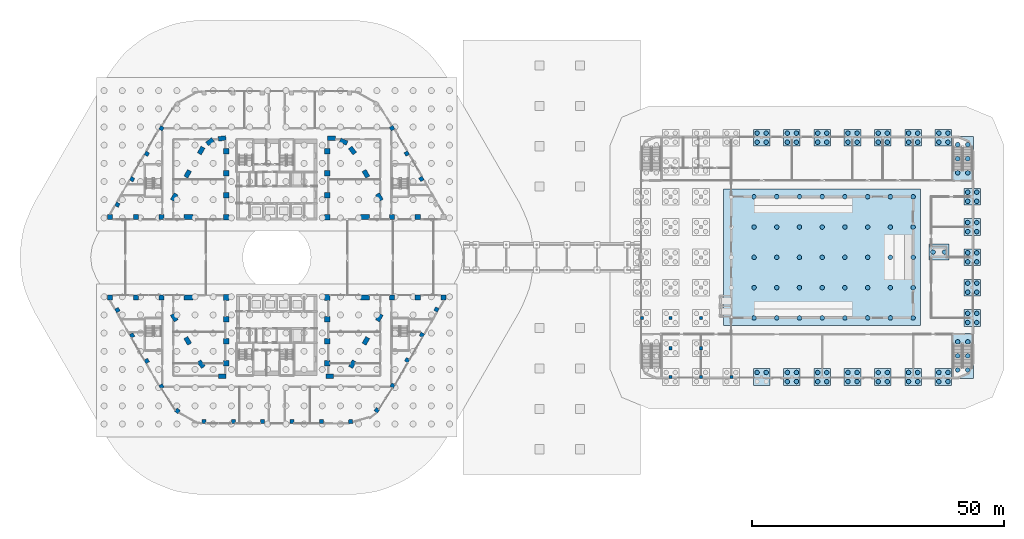
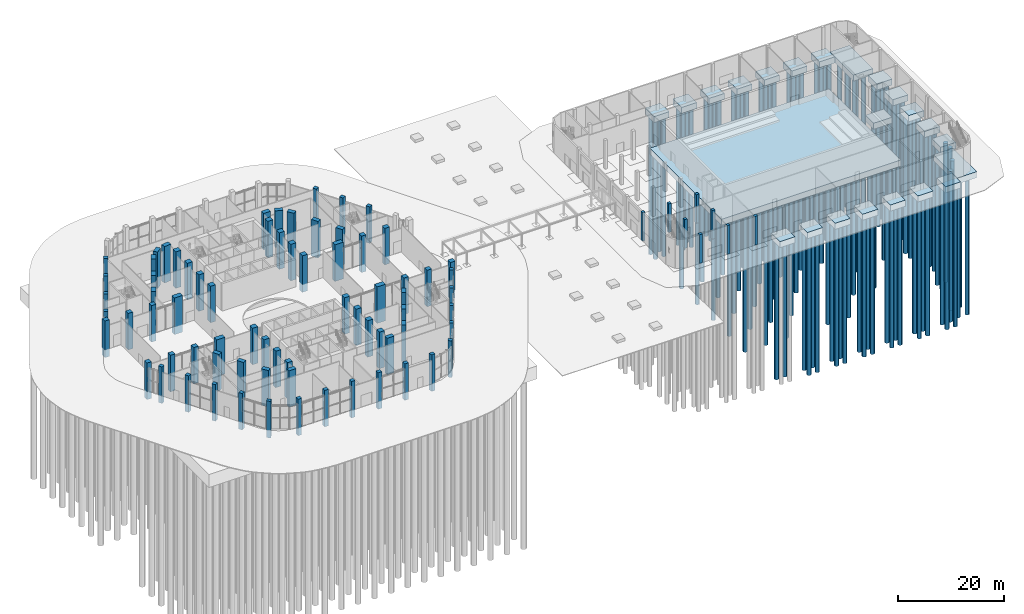
# One storey, part 3 of 44: 128 piles, 80 columns, 23 footings.
"""IFC4 building model written with IfcOpenShell, lengths in metres."""

from ifc_helpers import new_model, si_unit, direction, frame, origin, origin_2d, place, context, subcontext, project, spatial, rectangle, circle, extrude, material, material_profile, profile_set, type_object, element, save


model = new_model("IFC4")

# Units and contexts
model_context = context("Model", 3, precision=1e-05, world=origin(), true_north=direction((0.0, 1.0)))
body_context = subcontext(model_context, "Body", "Model", "MODEL_VIEW")
ifc_project = project(units=[si_unit("LENGTHUNIT", "METRE"), si_unit("AREAUNIT", "SQUARE_METRE"), si_unit("VOLUMEUNIT", "CUBIC_METRE"), si_unit("PLANEANGLEUNIT", "RADIAN"), si_unit("MASSUNIT", "GRAM", prefix="KILO")], contexts=[model_context])

# Site, building, storey
site_placement = place(None, origin())
site = spatial("IfcSite", under=ifc_project, at=site_placement, CompositionType="ELEMENT")
building_placement = place(site_placement, origin())
building = spatial("IfcBuilding", under=site, at=building_placement, Name="Nakaniwa Court", CompositionType="ELEMENT")
storey_placement = place(building_placement, origin())
storey = spatial("IfcBuildingStorey", under=building, at=storey_placement, Name="L00", CompositionType="ELEMENT", Elevation=0.0)

# Piles
ifc_material_1 = material(Name="Concrete C40/50", Category="concrete")
ifc_material_profile_1 = material_profile(ifc_material_1, circle(Radius=0.449951171875, at=origin_2d()), Name="Bored pile D900")
ifc_profile_set_1 = profile_set([ifc_material_profile_1], Name="Concrete C40/50")
pile_type = type_object("IfcPileType", Name="Hall bored pile D900", PredefinedType="BORED", material=ifc_profile_set_1)
for number, where, z_axis, x_axis, name in (
    (1, (176.89990234375, 57.199951171875, -1.25), (0.0, 0.0, -1.0), (1.0, 0.0, 0.0), "Hall bored pile"),
    (2, (175.10009765625, 57.199951171875, -1.25), (0.0, 0.0, -1.0), (1.0, 0.0, 0.0), "Hall bored pile"),
    (3, (175.10009765625, 102.800048828125, -1.25), (0.0, 0.0, -1.0), (1.0, 0.0, 0.0), "Hall bored pile"),
    (4, (176.89990234375, 102.800048828125, -1.25), (0.0, 0.0, -1.0), (1.0, 0.0, 0.0), "Hall bored pile"),
    (5, (176.89990234375, 104.60009765625, -1.25), (0.0, 0.0, -1.0), (1.0, 0.0, 0.0), "Hall bored pile"),
    (6, (175.10009765625, 104.60009765625, -1.25), (0.0, 0.0, -1.0), (1.0, 0.0, 0.0), "Hall bored pile"),
    (7, (181.10009765625, 55.39990234375, -1.25), (0.0, 0.0, -1.0), (1.0, 0.0, 0.0), "Hall bored pile"),
    (8, (182.89990234375, 55.39990234375, -1.25), (0.0, 0.0, -1.0), (1.0, 0.0, 0.0), "Hall bored pile"),
    (9, (182.89990234375, 57.199951171875, -1.25), (0.0, 0.0, -1.0), (1.0, 0.0, 0.0), "Hall bored pile"),
    (10, (181.10009765625, 57.199951171875, -1.25), (0.0, 0.0, -1.0), (1.0, 0.0, 0.0), "Hall bored pile"),
    (11, (181.10009765625, 102.800048828125, -1.25), (0.0, 0.0, -1.0), (1.0, 0.0, 0.0), "Hall bored pile"),
    (12, (182.89990234375, 102.800048828125, -1.25), (0.0, 0.0, -1.0), (1.0, 0.0, 0.0), "Hall bored pile"),
    (13, (182.89990234375, 104.60009765625, -1.25), (0.0, 0.0, -1.0), (1.0, 0.0, 0.0), "Hall bored pile"),
    (14, (181.10009765625, 104.60009765625, -1.25), (0.0, 0.0, -1.0), (1.0, 0.0, 0.0), "Hall bored pile"),
    (15, (187.10009765625, 55.39990234375, -1.25), (0.0, 0.0, -1.0), (1.0, 0.0, 0.0), "Hall bored pile"),
    (16, (188.89990234375, 55.39990234375, -1.25), (0.0, 0.0, -1.0), (1.0, 0.0, 0.0), "Hall bored pile"),
    (17, (188.89990234375, 57.199951171875, -1.25), (0.0, 0.0, -1.0), (1.0, 0.0, 0.0), "Hall bored pile"),
    (18, (187.10009765625, 57.199951171875, -1.25), (0.0, 0.0, -1.0), (1.0, 0.0, 0.0), "Hall bored pile"),
    (19, (187.10009765625, 102.800048828125, -1.25), (0.0, 0.0, -1.0), (1.0, 0.0, 0.0), "Hall bored pile"),
    (20, (188.89990234375, 102.800048828125, -1.25), (0.0, 0.0, -1.0), (1.0, 0.0, 0.0), "Hall bored pile"),
    (21, (188.89990234375, 104.60009765625, -1.25), (0.0, 0.0, -1.0), (1.0, 0.0, 0.0), "Hall bored pile"),
    (22, (187.10009765625, 104.60009765625, -1.25), (0.0, 0.0, -1.0), (1.0, 0.0, 0.0), "Hall bored pile"),
    (23, (193.10009765625, 55.39990234375, -1.25), (0.0, 0.0, -1.0), (1.0, 0.0, 0.0), "Hall bored pile"),
    (24, (194.89990234375, 55.39990234375, -1.25), (0.0, 0.0, -1.0), (1.0, 0.0, 0.0), "Hall bored pile"),
    (25, (194.89990234375, 57.199951171875, -1.25), (0.0, 0.0, -1.0), (1.0, 0.0, 0.0), "Hall bored pile"),
    (26, (193.10009765625, 57.199951171875, -1.25), (0.0, 0.0, -1.0), (1.0, 0.0, 0.0), "Hall bored pile"),
    (27, (193.10009765625, 102.800048828125, -1.25), (0.0, 0.0, -1.0), (1.0, 0.0, 0.0), "Hall bored pile"),
    (28, (194.89990234375, 102.800048828125, -1.25), (0.0, 0.0, -1.0), (1.0, 0.0, 0.0), "Hall bored pile"),
    (29, (194.89990234375, 104.60009765625, -1.25), (0.0, 0.0, -1.0), (1.0, 0.0, 0.0), "Hall bored pile"),
    (30, (193.10009765625, 104.60009765625, -1.25), (0.0, 0.0, -1.0), (1.0, 0.0, 0.0), "Hall bored pile"),
    (31, (199.10009765625, 55.39990234375, -1.25), (0.0, 0.0, -1.0), (1.0, 0.0, 0.0), "Hall bored pile"),
    (32, (200.89990234375, 55.39990234375, -1.25), (0.0, 0.0, -1.0), (1.0, 0.0, 0.0), "Hall bored pile"),
    (33, (200.89990234375, 57.199951171875, -1.25), (0.0, 0.0, -1.0), (1.0, 0.0, 0.0), "Hall bored pile"),
    (34, (199.10009765625, 57.199951171875, -1.25), (0.0, 0.0, -1.0), (1.0, 0.0, 0.0), "Hall bored pile"),
    (35, (199.10009765625, 102.800048828125, -1.25), (0.0, 0.0, -1.0), (1.0, 0.0, 0.0), "Hall bored pile"),
    (36, (200.89990234375, 102.800048828125, -1.25), (0.0, 0.0, -1.0), (1.0, 0.0, 0.0), "Hall bored pile"),
    (37, (200.89990234375, 104.60009765625, -1.25), (0.0, 0.0, -1.0), (1.0, 0.0, 0.0), "Hall bored pile"),
    (38, (199.10009765625, 104.60009765625, -1.25), (0.0, 0.0, -1.0), (1.0, 0.0, 0.0), "Hall bored pile"),
    (39, (205.10009765625, 55.39990234375, -1.25), (0.0, 0.0, -1.0), (1.0, 0.0, 0.0), "Hall bored pile"),
    (40, (206.89990234375, 55.39990234375, -1.25), (0.0, 0.0, -1.0), (1.0, 0.0, 0.0), "Hall bored pile"),
    (41, (206.89990234375, 57.199951171875, -1.25), (0.0, 0.0, -1.0), (1.0, 0.0, 0.0), "Hall bored pile"),
    (42, (205.10009765625, 57.199951171875, -1.25), (0.0, 0.0, -1.0), (1.0, 0.0, 0.0), "Hall bored pile"),
    (43, (205.10009765625, 102.800048828125, -1.25), (0.0, 0.0, -1.0), (1.0, 0.0, 0.0), "Hall bored pile"),
    (44, (206.89990234375, 102.800048828125, -1.25), (0.0, 0.0, -1.0), (1.0, 0.0, 0.0), "Hall bored pile"),
    (45, (206.89990234375, 104.60009765625, -1.25), (0.0, 0.0, -1.0), (1.0, 0.0, 0.0), "Hall bored pile"),
    (46, (205.10009765625, 104.60009765625, -1.25), (0.0, 0.0, -1.0), (1.0, 0.0, 0.0), "Hall bored pile"),
    (47, (211.10009765625, 55.39990234375, -1.25), (0.0, 0.0, -1.0), (1.0, 0.0, 0.0), "Hall bored pile"),
    (48, (212.89990234375, 55.39990234375, -1.25), (0.0, 0.0, -1.0), (1.0, 0.0, 0.0), "Hall bored pile"),
    (49, (212.89990234375, 57.199951171875, -1.25), (0.0, 0.0, -1.0), (1.0, 0.0, 0.0), "Hall bored pile"),
    (50, (211.10009765625, 57.199951171875, -1.25), (0.0, 0.0, -1.0), (1.0, 0.0, 0.0), "Hall bored pile"),
    (51, (211.10009765625, 102.800048828125, -1.25), (0.0, 0.0, -1.0), (1.0, 0.0, 0.0), "Hall bored pile"),
    (52, (212.89990234375, 102.800048828125, -1.25), (0.0, 0.0, -1.0), (1.0, 0.0, 0.0), "Hall bored pile"),
    (53, (212.89990234375, 104.60009765625, -1.25), (0.0, 0.0, -1.0), (1.0, 0.0, 0.0), "Hall bored pile"),
    (54, (211.10009765625, 104.60009765625, -1.25), (0.0, 0.0, -1.0), (1.0, 0.0, 0.0), "Hall bored pile"),
    (55, (216.800048828125, 67.10009765625, -1.25), (0.0, 0.0, -1.0), (1.0, 0.0, 0.0), "Hall bored pile"),
    (56, (218.60009765625, 67.10009765625, -1.25), (0.0, 0.0, -1.0), (1.0, 0.0, 0.0), "Hall bored pile"),
    (57, (218.60009765625, 68.89990234375, -1.25), (0.0, 0.0, -1.0), (1.0, 0.0, 0.0), "Hall bored pile"),
    (58, (216.800048828125, 68.89990234375, -1.25), (0.0, 0.0, -1.0), (1.0, 0.0, 0.0), "Hall bored pile"),
    (59, (216.800048828125, 73.10009765625, -1.25), (0.0, 0.0, -1.0), (1.0, 0.0, 0.0), "Hall bored pile"),
    (60, (218.60009765625, 73.10009765625, -1.25), (0.0, 0.0, -1.0), (1.0, 0.0, 0.0), "Hall bored pile"),
    (61, (218.60009765625, 74.89990234375, -1.25), (0.0, 0.0, -1.0), (1.0, 0.0, 0.0), "Hall bored pile"),
    (62, (216.800048828125, 74.89990234375, -1.25), (0.0, 0.0, -1.0), (1.0, 0.0, 0.0), "Hall bored pile"),
    (63, (216.800048828125, 79.10009765625, -1.25), (0.0, 0.0, -1.0), (1.0, 0.0, 0.0), "Hall bored pile"),
    (64, (218.60009765625, 79.10009765625, -1.25), (0.0, 0.0, -1.0), (1.0, 0.0, 0.0), "Hall bored pile"),
    (65, (218.60009765625, 80.89990234375, -1.25), (0.0, 0.0, -1.0), (1.0, 0.0, 0.0), "Hall bored pile"),
    (66, (216.800048828125, 80.89990234375, -1.25), (0.0, 0.0, -1.0), (1.0, 0.0, 0.0), "Hall bored pile"),
    (67, (216.800048828125, 85.10009765625, -1.25), (0.0, 0.0, -1.0), (1.0, 0.0, 0.0), "Hall bored pile"),
    (68, (218.60009765625, 85.10009765625, -1.25), (0.0, 0.0, -1.0), (1.0, 0.0, 0.0), "Hall bored pile"),
    (69, (218.60009765625, 86.89990234375, -1.25), (0.0, 0.0, -1.0), (1.0, 0.0, 0.0), "Hall bored pile"),
    (70, (216.800048828125, 86.89990234375, -1.25), (0.0, 0.0, -1.0), (1.0, 0.0, 0.0), "Hall bored pile"),
    (71, (216.800048828125, 91.10009765625, -1.25), (0.0, 0.0, -1.0), (1.0, 0.0, 0.0), "Hall bored pile"),
    (72, (218.60009765625, 91.10009765625, -1.25), (0.0, 0.0, -1.0), (1.0, 0.0, 0.0), "Hall bored pile"),
    (73, (218.60009765625, 92.89990234375, -1.25), (0.0, 0.0, -1.0), (1.0, 0.0, 0.0), "Hall bored pile"),
    (74, (216.800048828125, 92.89990234375, -1.25), (0.0, 0.0, -1.0), (1.0, 0.0, 0.0), "Hall bored pile"),
    (75, (174.5, 68.0, -1.25), (0.0, 0.0, -1.0), (1.0, 0.0, 0.0), "Hall raft pile"),
    (76, (174.5, 74.0, -1.25), (0.0, 0.0, -1.0), (1.0, 0.0, 0.0), "Hall raft pile"),
    (77, (174.5, 80.0, -1.25), (0.0, 0.0, -1.0), (1.0, 0.0, 0.0), "Hall raft pile"),
    (78, (174.5, 86.0, -1.25), (0.0, 0.0, -1.0), (1.0, 0.0, 0.0), "Hall raft pile"),
    (79, (174.5, 92.0, -1.25), (0.0, 0.0, -1.0), (1.0, 0.0, 0.0), "Hall raft pile"),
    (80, (179.0, 68.0, -1.25), (0.0, 0.0, -1.0), (1.0, 0.0, 0.0), "Hall raft pile"),
    (81, (179.0, 74.0, -1.25), (0.0, 0.0, -1.0), (1.0, 0.0, 0.0), "Hall raft pile"),
    (82, (179.0, 80.0, -1.25), (0.0, 0.0, -1.0), (1.0, 0.0, 0.0), "Hall raft pile"),
    (83, (179.0, 86.0, -1.25), (0.0, 0.0, -1.0), (1.0, 0.0, 0.0), "Hall raft pile"),
    (84, (179.0, 92.0, -1.25), (0.0, 0.0, -1.0), (1.0, 0.0, 0.0), "Hall raft pile"),
    (85, (183.5, 68.0, -1.25), (0.0, 0.0, -1.0), (1.0, 0.0, 0.0), "Hall raft pile"),
    (86, (183.5, 74.0, -1.25), (0.0, 0.0, -1.0), (1.0, 0.0, 0.0), "Hall raft pile"),
    (87, (183.5, 80.0, -1.25), (0.0, 0.0, -1.0), (1.0, 0.0, 0.0), "Hall raft pile"),
    (88, (183.5, 86.0, -1.25), (0.0, 0.0, -1.0), (1.0, 0.0, 0.0), "Hall raft pile"),
    (89, (183.5, 92.0, -1.25), (0.0, 0.0, -1.0), (1.0, 0.0, 0.0), "Hall raft pile"),
    (90, (188.0, 68.0, -1.25), (0.0, 0.0, -1.0), (1.0, 0.0, 0.0), "Hall raft pile"),
    (91, (188.0, 74.0, -1.25), (0.0, 0.0, -1.0), (1.0, 0.0, 0.0), "Hall raft pile"),
    (92, (188.0, 80.0, -1.25), (0.0, 0.0, -1.0), (1.0, 0.0, 0.0), "Hall raft pile"),
    (93, (188.0, 86.0, -1.25), (0.0, 0.0, -1.0), (1.0, 0.0, 0.0), "Hall raft pile"),
    (94, (188.0, 92.0, -1.25), (0.0, 0.0, -1.0), (1.0, 0.0, 0.0), "Hall raft pile"),
    (95, (192.5, 68.0, -1.25), (0.0, 0.0, -1.0), (1.0, 0.0, 0.0), "Hall raft pile"),
    (96, (192.5, 74.0, -1.25), (0.0, 0.0, -1.0), (1.0, 0.0, 0.0), "Hall raft pile"),
    (97, (192.5, 80.0, -1.25), (0.0, 0.0, -1.0), (1.0, 0.0, 0.0), "Hall raft pile"),
    (98, (192.5, 86.0, -1.25), (0.0, 0.0, -1.0), (1.0, 0.0, 0.0), "Hall raft pile"),
    (99, (192.5, 92.0, -1.25), (0.0, 0.0, -1.0), (1.0, 0.0, 0.0), "Hall raft pile"),
    (100, (197.0, 68.0, -1.25), (0.0, 0.0, -1.0), (1.0, 0.0, 0.0), "Hall raft pile"),
    (101, (197.0, 74.0, -1.25), (0.0, 0.0, -1.0), (1.0, 0.0, 0.0), "Hall raft pile"),
    (102, (197.0, 80.0, -1.25), (0.0, 0.0, -1.0), (1.0, 0.0, 0.0), "Hall raft pile"),
    (103, (197.0, 86.0, -1.25), (0.0, 0.0, -1.0), (1.0, 0.0, 0.0), "Hall raft pile"),
    (104, (197.0, 92.0, -1.25), (0.0, 0.0, -1.0), (1.0, 0.0, 0.0), "Hall raft pile"),
    (105, (201.5, 68.0, -1.25), (0.0, 0.0, -1.0), (1.0, 0.0, 0.0), "Hall raft pile"),
    (106, (201.5, 74.0, -1.25), (0.0, 0.0, -1.0), (1.0, 0.0, 0.0), "Hall raft pile"),
    (107, (201.5, 80.0, -1.25), (0.0, 0.0, -1.0), (1.0, 0.0, 0.0), "Hall raft pile"),
    (108, (201.5, 86.0, -1.25), (0.0, 0.0, -1.0), (1.0, 0.0, 0.0), "Hall raft pile"),
    (109, (201.5, 92.0, -1.25), (0.0, 0.0, -1.0), (1.0, 0.0, 0.0), "Hall raft pile"),
    (110, (206.0, 68.0, -1.25), (0.0, 0.0, -1.0), (1.0, 0.0, 0.0), "Hall raft pile"),
    (111, (206.0, 74.0, -1.25), (0.0, 0.0, -1.0), (1.0, 0.0, 0.0), "Hall raft pile"),
    (112, (206.0, 80.0, -1.25), (0.0, 0.0, -1.0), (1.0, 0.0, 0.0), "Hall raft pile"),
    (113, (206.0, 86.0, -1.25), (0.0, 0.0, -1.0), (1.0, 0.0, 0.0), "Hall raft pile"),
    (114, (206.0, 92.0, -1.25), (0.0, 0.0, -1.0), (1.0, 0.0, 0.0), "Hall raft pile"),
    (115, (214.824951171875, 57.693115234375, -1.25), (0.0, 0.0, -1.0), (1.0, 0.0, 0.0), "Hall stair 3 pile"),
    (116, (216.824951171875, 57.693115234375, -1.25), (0.0, 0.0, -1.0), (1.0, 0.0, 0.0), "Hall stair 3 pile"),
    (117, (214.824951171875, 60.47998046875, -1.25), (0.0, 0.0, -1.0), (1.0, 0.0, 0.0), "Hall stair 3 pile"),
    (118, (216.824951171875, 60.47998046875, -1.25), (0.0, 0.0, -1.0), (1.0, 0.0, 0.0), "Hall stair 3 pile"),
    (119, (214.824951171875, 63.26708984375, -1.25), (0.0, 0.0, -1.0), (1.0, 0.0, 0.0), "Hall stair 3 pile"),
    (120, (216.824951171875, 63.26708984375, -1.25), (0.0, 0.0, -1.0), (1.0, 0.0, 0.0), "Hall stair 3 pile"),
    (121, (214.824951171875, 96.73291015625, -1.25), (0.0, 0.0, -1.0), (1.0, 0.0, 0.0), "Hall stair 4 pile"),
    (122, (216.824951171875, 96.73291015625, -1.25), (0.0, 0.0, -1.0), (1.0, 0.0, 0.0), "Hall stair 4 pile"),
    (123, (214.824951171875, 99.52001953125, -1.25), (0.0, 0.0, -1.0), (1.0, 0.0, 0.0), "Hall stair 4 pile"),
    (124, (216.824951171875, 99.52001953125, -1.25), (0.0, 0.0, -1.0), (1.0, 0.0, 0.0), "Hall stair 4 pile"),
    (125, (214.824951171875, 102.306884765625, -1.25), (0.0, 0.0, -1.0), (1.0, 0.0, 0.0), "Hall stair 4 pile"),
    (126, (216.824951171875, 102.306884765625, -1.25), (0.0, 0.0, -1.0), (1.0, 0.0, 0.0), "Hall stair 4 pile"),
    (127, (210.0, 81.050048828125, -1.25), (0.0, 0.0, -1.0), (1.0, 0.0, 0.0), "Hall lift HL3 pile"),
    (128, (212.199951171875, 81.050048828125, -1.25), (0.0, 0.0, -1.0), (1.0, 0.0, 0.0), "Hall lift HL3 pile"),
):
    element("IfcPile", number, at=place(storey_placement, frame(where, z_axis=z_axis, x_axis=x_axis)), inside=storey, type_object=pile_type, Name=name, PredefinedType="BORED", context=body_context, shape_type="SweptSolid", body=[
        extrude(circle(Radius=0.449951171875, at=origin_2d()), origin(), (0.0, 0.0, 1.0), 32.0),
    ])

# Footings
footing_type_1 = type_object("IfcFootingType", Name="Hall pile cap 4-pile 3300x3300x1400", PredefinedType="PILE_CAP", material=ifc_material_1)
for number, where, z_axis, x_axis, name in (
    (129, (176.0, 56.300048828125, -1.39990234375), (0.0, 0.0, 1.0), (1.0, 0.0, 0.0), "Hall pile cap S4"),
    (130, (176.0, 103.699951171875, -1.39990234375), (0.0, 0.0, 1.0), (1.0, 0.0, 0.0), "Hall pile cap N4"),
    (131, (182.0, 56.300048828125, -1.39990234375), (0.0, 0.0, 1.0), (1.0, 0.0, 0.0), "Hall pile cap S5"),
    (132, (182.0, 103.699951171875, -1.39990234375), (0.0, 0.0, 1.0), (1.0, 0.0, 0.0), "Hall pile cap N5"),
    (133, (188.0, 56.300048828125, -1.39990234375), (0.0, 0.0, 1.0), (1.0, 0.0, 0.0), "Hall pile cap S6"),
    (134, (188.0, 103.699951171875, -1.39990234375), (0.0, 0.0, 1.0), (1.0, 0.0, 0.0), "Hall pile cap N6"),
    (135, (194.0, 56.300048828125, -1.39990234375), (0.0, 0.0, 1.0), (1.0, 0.0, 0.0), "Hall pile cap S7"),
    (136, (194.0, 103.699951171875, -1.39990234375), (0.0, 0.0, 1.0), (1.0, 0.0, 0.0), "Hall pile cap N7"),
    (137, (200.0, 56.300048828125, -1.39990234375), (0.0, 0.0, 1.0), (1.0, 0.0, 0.0), "Hall pile cap S8"),
    (138, (200.0, 103.699951171875, -1.39990234375), (0.0, 0.0, 1.0), (1.0, 0.0, 0.0), "Hall pile cap N8"),
    (139, (206.0, 56.300048828125, -1.39990234375), (0.0, 0.0, 1.0), (1.0, 0.0, 0.0), "Hall pile cap S9"),
    (140, (206.0, 103.699951171875, -1.39990234375), (0.0, 0.0, 1.0), (1.0, 0.0, 0.0), "Hall pile cap N9"),
    (141, (212.0, 56.300048828125, -1.39990234375), (0.0, 0.0, 1.0), (1.0, 0.0, 0.0), "Hall pile cap S10"),
    (142, (212.0, 103.699951171875, -1.39990234375), (0.0, 0.0, 1.0), (1.0, 0.0, 0.0), "Hall pile cap N10"),
    (143, (217.699951171875, 68.0, -1.39990234375), (0.0, 0.0, 1.0), (1.0, 0.0, 0.0), "Hall pile cap E2"),
    (144, (217.699951171875, 74.0, -1.39990234375), (0.0, 0.0, 1.0), (1.0, 0.0, 0.0), "Hall pile cap E3"),
    (145, (217.699951171875, 80.0, -1.39990234375), (0.0, 0.0, 1.0), (1.0, 0.0, 0.0), "Hall pile cap E4"),
    (146, (217.699951171875, 86.0, -1.39990234375), (0.0, 0.0, 1.0), (1.0, 0.0, 0.0), "Hall pile cap E5"),
    (147, (217.699951171875, 92.0, -1.39990234375), (0.0, 0.0, 1.0), (1.0, 0.0, 0.0), "Hall pile cap E6"),
):
    element("IfcFooting", number, at=place(storey_placement, frame(where, z_axis=z_axis, x_axis=x_axis)), inside=storey, type_object=footing_type_1, Name=name, PredefinedType="PILE_CAP", context=body_context, shape_type="SweptSolid", body=[
        extrude(rectangle(XDim=3.300048828125, YDim=3.300048828125, at=origin_2d()), origin(), (0.0, 0.0, 1.0), 1.39990234375),
    ])
footing_type_2 = type_object("IfcFootingType", Name="Hall piled raft 1400", PredefinedType="PAD_FOOTING", material=ifc_material_1)
footing_1_placement = place(storey_placement, frame((188.0, 80.0, -1.39990234375), z_axis=(0.0, 0.0, 1.0), x_axis=(1.0, 0.0, 0.0)))
element("IfcFooting", 148, at=footing_1_placement, inside=storey, type_object=footing_type_2, Name="Hall piled raft under the auditorium", PredefinedType="PAD_FOOTING", context=body_context, shape_type="SweptSolid", body=[
    extrude(rectangle(XDim=39.0, YDim=27.0, at=origin_2d()), origin(), (0.0, 0.0, 1.0), 1.39990234375),
])
for number, where, z_axis, x_axis, name in (
    (149, (215.824951171875, 60.47998046875, -1.39990234375), (0.0, 0.0, 1.0), (1.0, 0.0, 0.0), "Hall stair 3 shaft raft"),
    (150, (215.824951171875, 99.52001953125, -1.39990234375), (0.0, 0.0, 1.0), (1.0, 0.0, 0.0), "Hall stair 4 shaft raft"),
):
    element("IfcFooting", number, at=place(storey_placement, frame(where, z_axis=z_axis, x_axis=x_axis)), inside=storey, type_object=footing_type_2, Name=name, PredefinedType="PAD_FOOTING", context=body_context, shape_type="SweptSolid", body=[
        extrude(rectangle(XDim=4.25, YDim=8.860107421875, at=origin_2d()), origin(), (0.0, 0.0, 1.0), 1.39990234375),
    ])
footing_2_placement = place(storey_placement, frame((211.10009765625, 81.050048828125, -1.39990234375), z_axis=(0.0, 0.0, 1.0), x_axis=(1.0, 0.0, 0.0)))
element("IfcFooting", 151, at=footing_2_placement, inside=storey, type_object=footing_type_2, Name="Hall lift HL3 shaft raft", PredefinedType="PAD_FOOTING", context=body_context, shape_type="SweptSolid", body=[
    extrude(rectangle(XDim=4.0, YDim=3.10009765625, at=origin_2d()), origin(), (0.0, 0.0, 1.0), 1.39990234375),
])

# Columns
ifc_material_2 = material(Name="Concrete C100/115", Category="concrete")
ifc_material_profile_2 = material_profile(ifc_material_2, rectangle(XDim=1.0, YDim=1.0, at=origin_2d()), Name="Concrete C100/115 RC 1000x1000 portal edge column")
ifc_profile_set_2 = profile_set([ifc_material_profile_2], Name="Concrete C100/115")
column_type_1 = type_object("IfcColumnType", Name="Concrete C100/115 RC 1000x1000 portal edge column", PredefinedType="COLUMN", material=ifc_profile_set_2)
for number, where, z_axis, x_axis, name in (
    (152, (102.822998046875, 87.949951171875, -1.800048828125), (0.0, 0.0, 1.0), (1.0, 0.0, 0.0), "COLUMN CP-03"),
    (153, (102.822998046875, 72.050048828125, -1.800048828125), (0.0, 0.0, 1.0), (1.0, 0.0, 0.0), "COLUMN CP-04"),
    (154, (107.908935546875, 87.949951171875, -1.800048828125), (0.0, 0.0, 1.0), (1.0, 0.0, 0.0), "COLUMN CP-05"),
    (155, (107.908935546875, 72.050048828125, -1.800048828125), (0.0, 0.0, 1.0), (1.0, 0.0, 0.0), "COLUMN CP-06"),
    (156, (112.99609375, 72.050048828125, -1.800048828125), (0.0, 0.0, 1.0), (1.0, 0.0, 0.0), "COLUMN CP-08"),
    (157, (57.177001953125, 87.949951171875, -1.800048828125), (0.0, 0.0, 1.0), (1.0, 0.0, 0.0), "COLUMN CP-11"),
    (158, (57.177001953125, 72.050048828125, -1.800048828125), (0.0, 0.0, 1.0), (1.0, 0.0, 0.0), "COLUMN CP-12"),
    (159, (52.091064453125, 87.949951171875, -1.800048828125), (0.0, 0.0, 1.0), (1.0, 0.0, 0.0), "COLUMN CP-13"),
    (160, (52.091064453125, 72.050048828125, -1.800048828125), (0.0, 0.0, 1.0), (1.0, 0.0, 0.0), "COLUMN CP-14"),
    (161, (47.00390625, 87.949951171875, -1.800048828125), (0.0, 0.0, 1.0), (1.0, 0.0, 0.0), "COLUMN CP-15"),
    (162, (47.00390625, 72.050048828125, -1.800048828125), (0.0, 0.0, 1.0), (1.0, 0.0, 0.0), "COLUMN CP-16"),
):
    element("IfcColumn", number, at=place(storey_placement, frame(where, z_axis=z_axis, x_axis=x_axis)), inside=storey, type_object=column_type_1, Name=name, PredefinedType="COLUMN", context=body_context, shape_type="SweptSolid", body=[
        extrude(rectangle(XDim=1.0, YDim=1.0, at=origin_2d()), origin(), (0.0, 0.0, 1.0), 8.400146484375),
    ])
ifc_material_profile_3 = material_profile(ifc_material_2, rectangle(XDim=1.10009765625, YDim=1.10009765625, at=origin_2d()), Name="Concrete C100/115 RC 1100x1100 spine column")
ifc_profile_set_3 = profile_set([ifc_material_profile_3], Name="Concrete C100/115")
column_type_2 = type_object("IfcColumnType", Name="Concrete C100/115 RC 1100x1100 spine column", PredefinedType="COLUMN", material=ifc_profile_set_3)
for number, where, z_axis, x_axis, name in (
    (163, (90.0, 59.0, -1.800048828125), (0.0, 0.0, 1.0), (0.0, 1.0, 0.0), "COLUMN CS-01"),
    (164, (90.0, 63.35009765625, -1.800048828125), (0.0, 0.0, 1.0), (0.0, 1.0, 0.0), "COLUMN CS-02"),
    (165, (90.0, 67.699951171875, -1.800048828125), (0.0, 0.0, 1.0), (0.0, 1.0, 0.0), "COLUMN CS-03"),
    (166, (90.0, 72.050048828125, -1.800048828125), (0.0, 0.0, 1.0), (0.0, 1.0, 0.0), "COLUMN CS-04"),
    (167, (90.0, 87.949951171875, -1.800048828125), (0.0, 0.0, 1.0), (0.0, 1.0, 0.0), "COLUMN CS-07"),
    (168, (90.0, 92.300048828125, -1.800048828125), (0.0, 0.0, 1.0), (0.0, 1.0, 0.0), "COLUMN CS-08"),
    (169, (90.0, 96.64990234375, -1.800048828125), (0.0, 0.0, 1.0), (0.0, 1.0, 0.0), "COLUMN CS-09"),
    (170, (90.0, 101.0, -1.800048828125), (0.0, 0.0, 1.0), (0.0, 1.0, 0.0), "COLUMN CS-10"),
    (171, (70.0, 101.0, -1.800048828125), (0.0, 0.0, 1.0), (0.0, -1.0, 0.0), "COLUMN CS-11"),
    (172, (70.0, 96.64990234375, -1.800048828125), (0.0, 0.0, 1.0), (0.0, -1.0, 0.0), "COLUMN CS-12"),
    (173, (70.0, 92.300048828125, -1.800048828125), (0.0, 0.0, 1.0), (0.0, -1.0, 0.0), "COLUMN CS-13"),
    (174, (70.0, 87.949951171875, -1.800048828125), (0.0, 0.0, 1.0), (0.0, -1.0, 0.0), "COLUMN CS-14"),
    (175, (70.0, 72.050048828125, -1.800048828125), (0.0, 0.0, 1.0), (0.0, -1.0, 0.0), "COLUMN CS-17"),
    (176, (70.0, 67.699951171875, -1.800048828125), (0.0, 0.0, 1.0), (0.0, -1.0, 0.0), "COLUMN CS-18"),
    (177, (70.0, 63.35009765625, -1.800048828125), (0.0, 0.0, 1.0), (0.0, -1.0, 0.0), "COLUMN CS-19"),
    (178, (70.0, 59.0, -1.800048828125), (0.0, 0.0, 1.0), (0.0, -1.0, 0.0), "COLUMN CS-20"),
):
    element("IfcColumn", number, at=place(storey_placement, frame(where, z_axis=z_axis, x_axis=x_axis)), inside=storey, type_object=column_type_2, Name=name, PredefinedType="COLUMN", context=body_context, shape_type="SweptSolid", body=[
        extrude(rectangle(XDim=1.10009765625, YDim=1.10009765625, at=origin_2d()), origin(), (0.0, 0.0, 1.0), 8.400146484375),
    ])
ifc_material_profile_4 = material_profile(ifc_material_2, rectangle(XDim=1.5, YDim=0.89990234375, at=origin_2d()), Name="Concrete C100/115 RC 1500x900 perimeter column")
ifc_profile_set_4 = profile_set([ifc_material_profile_4], Name="Concrete C100/115")
column_type_3 = type_object("IfcColumnType", Name="Concrete C100/115 RC 1500x900 perimeter column", PredefinedType="COLUMN", material=ifc_profile_set_4)
for number, where, z_axis, x_axis, name in (
    (179, (69.17529296875, 103.550048828125, -1.800048828125), (0.0, 0.0, 1.0), (-0.991442583111, -0.130543496177, 0.0), "COLUMN CO-01"),
    (180, (66.772705078125, 102.91015625, -1.800048828125), (0.0, 0.0, 1.0), (-0.793363965062, -0.608747582288, 0.0), "COLUMN CO-02"),
    (181, (65.017578125, 101.1494140625, -1.800048828125), (0.0, 0.0, 1.0), (-0.5, -0.866025403784, 0.0), "COLUMN CO-03"),
    (182, (62.3544921875, 96.537109375, -1.800048828125), (0.0, 0.0, 1.0), (-0.5, -0.866025403784, 0.0), "COLUMN CO-04"),
    (183, (59.691650390625, 91.9248046875, -1.800048828125), (0.0, 0.0, 1.0), (-0.5, -0.866025403784, 0.0), "COLUMN CO-05"),
    (184, (59.691650390625, 68.0751953125, -1.800048828125), (0.0, 0.0, 1.0), (0.5, -0.866025403784, 0.0), "COLUMN CO-14"),
    (185, (62.3544921875, 63.462890625, -1.800048828125), (0.0, 0.0, 1.0), (0.5, -0.866025403784, 0.0), "COLUMN CO-15"),
    (186, (65.017578125, 58.8505859375, -1.800048828125), (0.0, 0.0, 1.0), (0.608761429009, -0.793353340291, 0.0), "COLUMN CO-16"),
    (187, (69.17529296875, 56.449951171875, -1.800048828125), (0.0, 0.0, 1.0), (1.0, 0.0, 0.0), "COLUMN CO-17"),
    (188, (90.507080078125, 56.449951171875, -1.800048828125), (0.0, 0.0, 1.0), (1.0, 0.0, 0.0), "COLUMN CO-21"),
    (189, (94.982421875, 58.8505859375, -1.800048828125), (0.0, 0.0, 1.0), (0.5, 0.866025403784, 0.0), "COLUMN CO-22"),
    (190, (97.6455078125, 63.462890625, -1.800048828125), (0.0, 0.0, 1.0), (0.5, 0.866025403784, 0.0), "COLUMN CO-23"),
    (191, (100.308349609375, 68.0751953125, -1.800048828125), (0.0, 0.0, 1.0), (0.5, 0.866025403784, 0.0), "COLUMN CO-24"),
    (192, (100.308349609375, 91.9248046875, -1.800048828125), (0.0, 0.0, 1.0), (-0.5, 0.866025403784, 0.0), "COLUMN CO-33"),
    (193, (97.6455078125, 96.537109375, -1.800048828125), (0.0, 0.0, 1.0), (-0.5, 0.866025403784, 0.0), "COLUMN CO-34"),
    (194, (94.982421875, 101.1494140625, -1.800048828125), (0.0, 0.0, 1.0), (-0.608761429009, 0.793353340291, 0.0), "COLUMN CO-35"),
    (195, (93.227294921875, 102.91015625, -1.800048828125), (0.0, 0.0, 1.0), (-0.923879532511, 0.382683432365, 0.0), "COLUMN CO-36"),
    (196, (90.82470703125, 103.550048828125, -1.800048828125), (0.0, 0.0, 1.0), (-1.0, 0.0, 0.0), "COLUMN CO-37"),
):
    element("IfcColumn", number, at=place(storey_placement, frame(where, z_axis=z_axis, x_axis=x_axis)), inside=storey, type_object=column_type_3, Name=name, PredefinedType="COLUMN", context=body_context, shape_type="SweptSolid", body=[
        extrude(rectangle(XDim=1.5, YDim=0.89990234375, at=origin_2d()), origin(), (0.0, 0.0, 1.0), 8.400146484375),
    ])
ifc_material_profile_5 = material_profile(ifc_material_2, rectangle(XDim=1.800048828125, YDim=1.0, at=origin_2d()), Name="Concrete C100/115 RC 1800x1000 portal edge column")
ifc_profile_set_5 = profile_set([ifc_material_profile_5], Name="Concrete C100/115")
column_type_4 = type_object("IfcColumnType", Name="Concrete C100/115 RC 1800x1000 portal edge column", PredefinedType="COLUMN", material=ifc_profile_set_5)
for number, where, z_axis, x_axis, name in (
    (197, (97.4580078125, 87.949951171875, -1.800048828125), (0.0, 0.0, 1.0), (1.0, 0.0, 0.0), "COLUMN CP-01"),
    (198, (97.4580078125, 72.050048828125, -1.800048828125), (0.0, 0.0, 1.0), (1.0, 0.0, 0.0), "COLUMN CP-02"),
    (199, (62.5419921875, 87.949951171875, -1.800048828125), (0.0, 0.0, 1.0), (1.0, 0.0, 0.0), "COLUMN CP-09"),
    (200, (62.5419921875, 72.050048828125, -1.800048828125), (0.0, 0.0, 1.0), (1.0, 0.0, 0.0), "COLUMN CP-10"),
):
    element("IfcColumn", number, at=place(storey_placement, frame(where, z_axis=z_axis, x_axis=x_axis)), inside=storey, type_object=column_type_4, Name=name, PredefinedType="COLUMN", context=body_context, shape_type="SweptSolid", body=[
        extrude(rectangle(XDim=1.800048828125, YDim=1.0, at=origin_2d()), origin(), (0.0, 0.0, 1.0), 8.400146484375),
    ])
ifc_material_profile_6 = material_profile(ifc_material_2, rectangle(XDim=0.800048828125, YDim=0.800048828125, at=origin_2d()), Name="Concrete C100/115 RC 800x800 podium skirt column")
ifc_profile_set_6 = profile_set([ifc_material_profile_6], Name="Concrete C100/115")
column_type_5 = type_object("IfcColumnType", Name="Concrete C100/115 RC 800x800 podium skirt column", PredefinedType="COLUMN", material=ifc_profile_set_6)
for number, where, z_axis, x_axis, name in (
    (201, (57.165771484375, 105.550048828125, -1.800048828125), (0.0, 0.0, 1.0), (-0.5, -0.866025403784, 0.0), "COLUMN CK-03"),
    (202, (54.25732421875, 100.5126953125, -1.800048828125), (0.0, 0.0, 1.0), (-0.5, -0.866025403784, 0.0), "COLUMN CK-04"),
    (203, (51.34912109375, 95.47509765625, -1.800048828125), (0.0, 0.0, 1.0), (-0.5, -0.866025403784, 0.0), "COLUMN CK-05"),
    (204, (48.440673828125, 90.437744140625, -1.800048828125), (0.0, 0.0, 1.0), (-0.5, -0.866025403784, 0.0), "COLUMN CK-06"),
    (205, (48.440673828125, 69.562255859375, -1.800048828125), (0.0, 0.0, 1.0), (0.5, -0.866025403784, 0.0), "COLUMN CK-10"),
    (206, (51.34912109375, 64.52490234375, -1.800048828125), (0.0, 0.0, 1.0), (0.5, -0.866025403784, 0.0), "COLUMN CK-11"),
    (207, (54.25732421875, 59.4873046875, -1.800048828125), (0.0, 0.0, 1.0), (0.5, -0.866025403784, 0.0), "COLUMN CK-12"),
    (208, (57.165771484375, 54.449951171875, -1.800048828125), (0.0, 0.0, 1.0), (0.5, -0.866025403784, 0.0), "COLUMN CK-13"),
    (209, (60.32763671875, 49.58935546875, -1.800048828125), (0.0, 0.0, 1.0), (0.793353340291, -0.608761429009, 0.0), "COLUMN CK-14"),
    (210, (65.595703125, 47.449951171875, -1.800048828125), (0.0, 0.0, 1.0), (1.0, 0.0, 0.0), "COLUMN CK-15"),
    (211, (71.39794921875, 47.449951171875, -1.800048828125), (0.0, 0.0, 1.0), (1.0, 0.0, 0.0), "COLUMN CK-16"),
    (212, (77.2001953125, 47.449951171875, -1.800048828125), (0.0, 0.0, 1.0), (1.0, 0.0, 0.0), "COLUMN CK-17"),
    (213, (83.00244140625, 47.449951171875, -1.800048828125), (0.0, 0.0, 1.0), (1.0, 0.0, 0.0), "COLUMN CK-18"),
    (214, (88.8046875, 47.449951171875, -1.800048828125), (0.0, 0.0, 1.0), (1.0, 0.0, 0.0), "COLUMN CK-19"),
    (215, (94.605224609375, 47.4765625, -1.800048828125), (0.0, 0.0, 1.0), (0.991444861374, 0.13052619222, 0.0), "COLUMN CK-20"),
    (216, (99.8095703125, 49.716064453125, -1.800048828125), (0.0, 0.0, 1.0), (0.608761429009, 0.793353340291, 0.0), "COLUMN CK-21"),
    (217, (102.921142578125, 54.600341796875, -1.800048828125), (0.0, 0.0, 1.0), (0.5, 0.866025403784, 0.0), "COLUMN CK-22"),
    (218, (105.822265625, 59.62548828125, -1.800048828125), (0.0, 0.0, 1.0), (0.5, 0.866025403784, 0.0), "COLUMN CK-23"),
    (219, (108.723388671875, 64.650390625, -1.800048828125), (0.0, 0.0, 1.0), (0.5, 0.866025403784, 0.0), "COLUMN CK-24"),
    (220, (111.62451171875, 69.67529296875, -1.800048828125), (0.0, 0.0, 1.0), (0.5, 0.866025403784, 0.0), "COLUMN CK-25"),
    (221, (108.6220703125, 95.525390625, -1.800048828125), (0.0, 0.0, 1.0), (-0.5, 0.866025403784, 0.0), "COLUMN CK-30"),
    (222, (105.720703125, 100.55029296875, -1.800048828125), (0.0, 0.0, 1.0), (-0.5, 0.866025403784, 0.0), "COLUMN CK-31"),
    (223, (102.819580078125, 105.5751953125, -1.800048828125), (0.0, 0.0, 1.0), (-0.5, 0.866025403784, 0.0), "COLUMN CK-32"),
):
    element("IfcColumn", number, at=place(storey_placement, frame(where, z_axis=z_axis, x_axis=x_axis)), inside=storey, type_object=column_type_5, Name=name, PredefinedType="COLUMN", context=body_context, shape_type="SweptSolid", body=[
        extrude(rectangle(XDim=0.800048828125, YDim=0.800048828125, at=origin_2d()), origin(), (0.0, 0.0, 1.0), 8.400146484375),
    ])
ifc_material_3 = material(Name="Concrete C50/60", Category="concrete")
ifc_material_profile_7 = material_profile(ifc_material_3, rectangle(XDim=0.60009765625, YDim=0.60009765625, at=origin_2d()), Name="RC 600x600")
ifc_profile_set_7 = profile_set([ifc_material_profile_7], Name="Concrete C50/60")
column_type_6 = type_object("IfcColumnType", Name="Hall column RC 600x600 C50/60", PredefinedType="COLUMN", material=ifc_profile_set_7)
for number, where, z_axis, x_axis, name in (
    (224, (158.0, 56.300048828125, 0.0), (0.0, 0.0, 1.0), (1.0, 0.0, 0.0), "Hall column S1 L00"),
    (225, (164.0, 56.300048828125, 0.0), (0.0, 0.0, 1.0), (1.0, 0.0, 0.0), "Hall column S2 L00"),
    (226, (170.0, 56.300048828125, 0.0), (0.0, 0.0, 1.0), (1.0, 0.0, 0.0), "Hall column S3 L00"),
    (227, (152.300048828125, 68.0, 0.0), (0.0, 0.0, 1.0), (1.0, 0.0, 0.0), "Hall column W2 L00"),
    (228, (158.0, 62.0, 0.0), (0.0, 0.0, 1.0), (1.0, 0.0, 0.0), "Hall column F1-1 L00"),
    (229, (158.0, 68.0, 0.0), (0.0, 0.0, 1.0), (1.0, 0.0, 0.0), "Hall column F1-2 L00"),
    (230, (164.0, 62.0, 0.0), (0.0, 0.0, 1.0), (1.0, 0.0, 0.0), "Hall column F2-1 L00"),
    (231, (164.0, 68.0, 0.0), (0.0, 0.0, 1.0), (1.0, 0.0, 0.0), "Hall column F2-2 L00"),
):
    element("IfcColumn", number, at=place(storey_placement, frame(where, z_axis=z_axis, x_axis=x_axis)), inside=storey, type_object=column_type_6, Name=name, PredefinedType="COLUMN", context=body_context, shape_type="SweptSolid", body=[
        extrude(rectangle(XDim=0.60009765625, YDim=0.60009765625, at=origin_2d()), origin(), (0.0, 0.0, 1.0), 6.60009765625),
    ])

save(model, "model.ifc")
